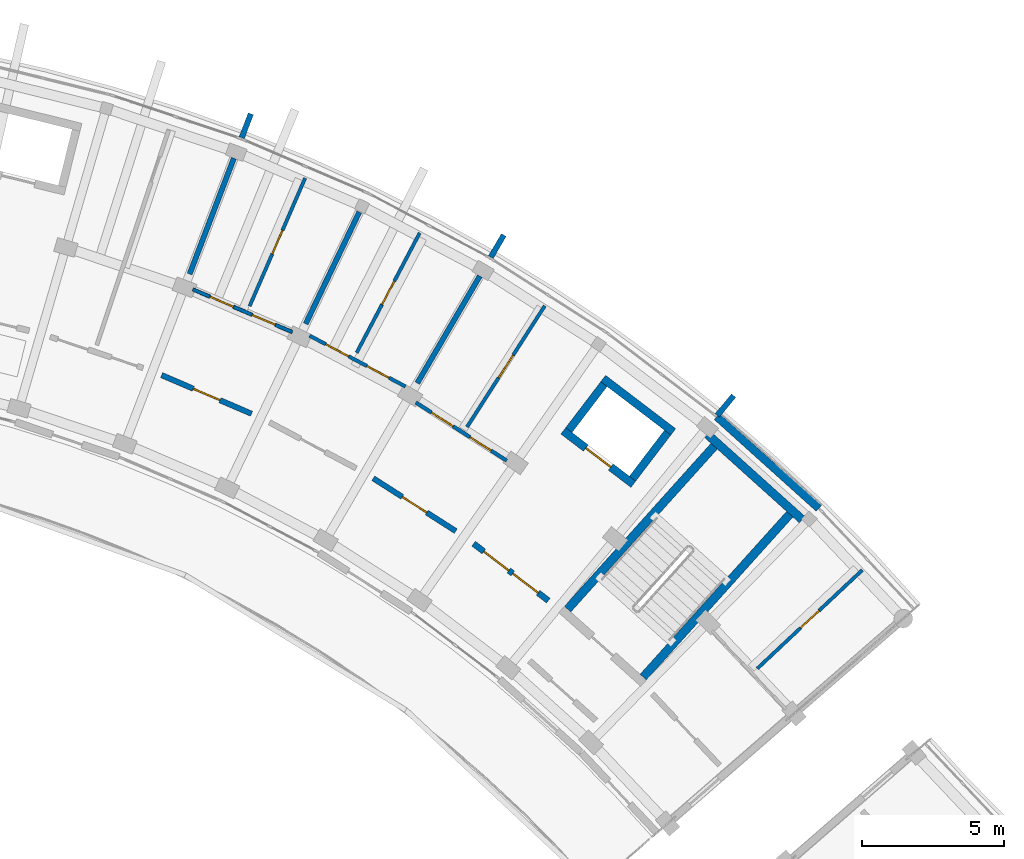
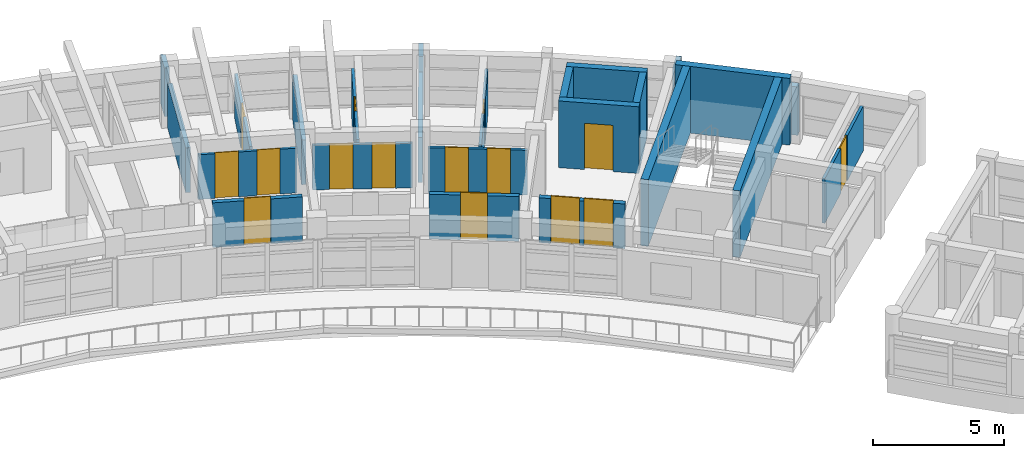
# One storey, part 27 of 38: 24 walls, 15 doors, 15 openings.
"""IFC4 building model written with IfcOpenShell, lengths in metres."""

from ifc_helpers import new_model, si_unit, direction, frame, frame_2d, origin, place, context, subcontext, project, spatial, rectangle, extrude, material, layer, layer_set, type_object, element, fill, save


model = new_model("IFC4")

# Units and contexts
model_context = context("Model", 3, precision=1e-05, world=origin(), true_north=direction((0.0, 1.0)))
body_context = subcontext(model_context, "Body", "Model", "MODEL_VIEW")
ifc_project = project(units=[si_unit("LENGTHUNIT", "METRE"), si_unit("AREAUNIT", "SQUARE_METRE"), si_unit("VOLUMEUNIT", "CUBIC_METRE"), si_unit("PLANEANGLEUNIT", "RADIAN"), si_unit("MASSUNIT", "GRAM", prefix="KILO")], contexts=[model_context])

# Site, building, storey
site_placement = place(None, origin())
site = spatial("IfcSite", under=ifc_project, at=site_placement, CompositionType="ELEMENT")
building_placement = place(site_placement, origin())
building = spatial("IfcBuilding", under=site, at=building_placement, Name="Zimvara Arc Housing Community", CompositionType="ELEMENT")
storey_placement = place(building_placement, frame((0.0, 0.0, 29.800048828125)))
storey = spatial("IfcBuildingStorey", under=building, at=storey_placement, Name="L09", CompositionType="ELEMENT", Elevation=29.800048828125)

# Walls
ifc_material_1 = material(Name="Board-Marked Fair-Faced Concrete C35/45", Category="concrete")
ifc_layer_1 = layer(ifc_material_1, 0.195068359375)
ifc_layer_set_1 = layer_set([ifc_layer_1], Name="Board-Marked Fair-Faced Concrete C35/45")
wall_type_1 = type_object("IfcWallType", Name="EWL-PARA-195", PredefinedType="PARAPET", material=ifc_layer_set_1)
wall_1_placement = place(storey_placement, frame((66.216796875, 100.0029296875, 0.0), z_axis=(0.0, 0.0, 1.0), x_axis=(0.356942580168, 0.934126326823, 0.0)))
element("IfcWall", 1, at=wall_1_placement, inside=storey, type_object=wall_type_1, Name="finwall:blkB:L09:out:b4", PredefinedType="PARAPET", context=body_context, shape_type="SweptSolid", body=[
    extrude(rectangle(XDim=0.900146484375, YDim=0.195068359375, at=frame_2d((0.4501953125, 0.0))), origin(), (0.0, 0.0, 1.0), 2.25),
])
wall_2_placement = place(storey_placement, frame((74.961181640625, 95.8134765625, 0.0), z_axis=(0.0, 0.0, 1.0), x_axis=(0.504326383773, 0.863513114336, 0.0)))
element("IfcWall", 2, at=wall_2_placement, inside=storey, type_object=wall_type_1, Name="finwall:blkB:L09:out:b6", PredefinedType="PARAPET", context=body_context, shape_type="SweptSolid", body=[
    extrude(rectangle(XDim=0.89990234375, YDim=0.195068359375, at=frame_2d((0.449951171875, 0.0))), origin(), (0.0, 0.0, 1.0), 2.25),
])
wall_3_placement = place(storey_placement, frame((82.90771484375, 90.25732421875, 0.0), z_axis=(0.0, 0.0, 1.0), x_axis=(0.637967316825, 0.770063440674, 0.0)))
element("IfcWall", 3, at=wall_3_placement, inside=storey, type_object=wall_type_1, Name="finwall:blkB:L09:out:b8", PredefinedType="PARAPET", context=body_context, shape_type="SweptSolid", body=[
    extrude(rectangle(XDim=0.900146484375, YDim=0.195068359375, at=frame_2d((0.4501953125, 0.0))), origin(), (0.0, 0.0, 1.0), 2.25),
])
ifc_material_2 = material(Name="Board-Marked Fair-Faced Concrete C35/45", Category="concrete")
ifc_layer_2 = layer(ifc_material_2, 0.278076171875)
ifc_layer_set_2 = layer_set([ifc_layer_2], Name="Board-Marked Fair-Faced Concrete C35/45")
wall_type_2 = type_object("IfcWallType", Name="EWL-VAR-23", PredefinedType="SOLIDWALL", material=ifc_layer_set_2)
wall_4_placement = place(storey_placement, frame((82.89697265625, 90.21337890625, 0.0), z_axis=(0.0, 0.0, 1.0), x_axis=(0.743387539862, -0.668860946369, 0.0)))
element("IfcWall", 4, at=wall_4_placement, inside=storey, type_object=wall_type_2, Name="ewall:blkB:L09:out:b8", PredefinedType="SOLIDWALL", context=body_context, shape_type="SweptSolid", body=[
    extrude(rectangle(XDim=4.80908203125, YDim=0.278076171875, at=frame_2d((2.404541015625, 0.0))), origin(), (0.0, 0.0, 1.0), 2.25),
])

# Wall, openings, doors
ifc_material_3 = material(Name="Concrete C35/45", Category="concrete")
ifc_layer_3 = layer(ifc_material_3, 0.2099609375)
ifc_layer_set_3 = layer_set([ifc_layer_3], Name="Concrete C35/45")
wall_type_3 = type_object("IfcWallType", Name="IWL-CCF-210", PredefinedType="SOLIDWALL", material=ifc_layer_set_3)
wall_5_placement = place(storey_placement, frame((74.356689453125, 85.755859375, 0.0), z_axis=(0.0, 0.0, 1.0), x_axis=(0.795498026433, -0.605956178235, 0.0)))
wall_5 = element("IfcWall", 5, at=wall_5_placement, inside=storey, type_object=wall_type_3, Name="iwall:blkB:L09:ll_div:b7", PredefinedType="SOLIDWALL", context=body_context, shape_type="SweptSolid", body=[
    extrude(rectangle(XDim=3.296142578125, YDim=0.2099609375, at=frame_2d((1.64794921875, 0.0))), origin(), (0.0, 0.0, 1.0), 2.079833984375),
])
opening_1_placement = place(wall_5_placement, frame((0.449951171875, 0.0, 0.0)))
opening_1 = element("IfcOpeningElement", 6, at=opening_1_placement, cuts=wall_5, Name="Opening FD-CCF1", PredefinedType="OPENING", context=body_context, shape_type="SweptSolid", body=[
    extrude(rectangle(XDim=1.10009765625, YDim=2.14990234375, at=frame_2d((0.550048828125, 1.074951171875))), frame((0.0, 0.114990234375, 0.0), z_axis=(0.0, -1.0, 0.0), x_axis=(1.0, 0.0, 0.0)), (0.0, 0.0, 1.0), 0.22998046875),
])
opening_2_placement = place(wall_5_placement, frame((1.72607421875, 0.0, 0.0)))
opening_2 = element("IfcOpeningElement", 7, at=opening_2_placement, cuts=wall_5, Name="Opening D07", PredefinedType="OPENING", context=body_context, shape_type="SweptSolid", body=[
    extrude(rectangle(XDim=1.1201171875, YDim=2.14990234375, at=frame_2d((0.56005859375, 1.074951171875))), frame((0.0, 0.114990234375, 0.0), z_axis=(0.0, -1.0, 0.0), x_axis=(1.0, 0.0, 0.0)), (0.0, 0.0, 1.0), 0.22998046875),
])
ifc_material_4 = material(Name="Mozambican Hardwood", Category="wood")
door_type_1 = type_object("IfcDoorType", Name="IDR-AMN-1120x2150", OperationType="NOTDEFINED", PredefinedType="DOOR", material=ifc_material_4)
door_1_placement = place(opening_2_placement, origin())
door_1 = element("IfcDoor", 8, at=door_1_placement, inside=storey, type_object=door_type_1, Name="idoor:blkB:L09:rs_in:b7", OperationType="SINGLE_SWING_LEFT", OverallHeight=2.14990234375, OverallWidth=1.1201171875, PredefinedType="DOOR", context=body_context, shape_type="SweptSolid", body=[
    extrude(rectangle(XDim=1.1201171875, YDim=2.14990234375, at=frame_2d((0.56005859375, 1.074951171875))), frame((0.0, 0.02490234375, 0.0), z_axis=(0.0, -1.0, 0.0), x_axis=(1.0, 0.0, 0.0)), (0.0, 0.0, 1.0), 0.050048828125),
])
fill(opening_2, door_1)
ifc_material_5 = material(Name="Anodised Aluminium AW-6063", Category="aluminium")
door_type_2 = type_object("IfcDoorType", Name="IDR-CCF-1100x2150", OperationType="NOTDEFINED", PredefinedType="DOOR", material=ifc_material_5)
door_2_placement = place(opening_1_placement, origin())
door_2 = element("IfcDoor", 9, at=door_2_placement, inside=storey, type_object=door_type_2, Name="idoor:blkB:L09:ll_in:b7", OperationType="SINGLE_SWING_RIGHT", OverallHeight=2.14990234375, OverallWidth=1.10009765625, PredefinedType="DOOR", context=body_context, shape_type="SweptSolid", body=[
    extrude(rectangle(XDim=1.10009765625, YDim=2.14990234375, at=frame_2d((0.550048828125, 1.074951171875))), frame((0.0, 0.02490234375, 0.0), z_axis=(0.0, -1.0, 0.0), x_axis=(1.0, 0.0, 0.0)), (0.0, 0.0, 1.0), 0.050048828125),
])
fill(opening_1, door_2)

# Wall, opening, door
ifc_material_6 = material(Name="Concrete C35/45", Category="concrete")
ifc_layer_4 = layer(ifc_material_6, 0.18994140625)
ifc_layer_set_4 = layer_set([ifc_layer_4], Name="Concrete C35/45")
wall_type_4 = type_object("IfcWallType", Name="IWL-CORR-190", PredefinedType="SOLIDWALL", material=ifc_layer_set_4)
wall_6_placement = place(storey_placement, frame((63.40673828125, 91.6728515625, 0.0), z_axis=(0.0, 0.0, 1.0), x_axis=(0.918718172399, -0.394913813008, 0.0)))
wall_6 = element("IfcWall", 10, at=wall_6_placement, inside=storey, type_object=wall_type_4, Name="iwall:blkB:L09:corr_out:b4", PredefinedType="SOLIDWALL", context=body_context, shape_type="SweptSolid", body=[
    extrude(rectangle(XDim=3.43603515625, YDim=0.18994140625, at=frame_2d((1.718017578125, 0.0))), origin(), (0.0, 0.0, 1.0), 2.079833984375),
])
opening_3_placement = place(wall_6_placement, frame((1.2080078125, 0.0, 0.0)))
opening_3 = element("IfcOpeningElement", 11, at=opening_3_placement, cuts=wall_6, Name="Opening FD-FL2", PredefinedType="OPENING", context=body_context, shape_type="SweptSolid", body=[
    extrude(rectangle(XDim=1.02001953125, YDim=2.14990234375, at=frame_2d((0.510009765625, 1.074951171875))), frame((0.0, 0.10498046875, 0.0), z_axis=(0.0, -1.0, 0.0), x_axis=(1.0, 0.0, 0.0)), (0.0, 0.0, 1.0), 0.2099609375),
])
ifc_material_7 = material(Name="Mozambican Hardwood", Category="wood")
door_type_3 = type_object("IfcDoorType", Name="IDR-FLAT-1020x2150", OperationType="NOTDEFINED", PredefinedType="DOOR", material=ifc_material_7)
door_3_placement = place(opening_3_placement, origin())
door_3 = element("IfcDoor", 12, at=door_3_placement, inside=storey, type_object=door_type_3, Name="idoor:blkB:L09:flat:b4", OperationType="SINGLE_SWING_RIGHT", OverallHeight=2.14990234375, OverallWidth=1.02001953125, PredefinedType="DOOR", context=body_context, shape_type="SweptSolid", body=[
    extrude(rectangle(XDim=1.02001953125, YDim=2.14990234375, at=frame_2d((0.510009765625, 1.074951171875))), frame((0.0, 0.02490234375, 0.0), z_axis=(0.0, -1.0, 0.0), x_axis=(1.0, 0.0, 0.0)), (0.0, 0.0, 1.0), 0.050048828125),
])
fill(opening_3, door_3)

wall_7_placement = place(storey_placement, frame((70.833740234375, 88.05126953125, 0.0), z_axis=(0.0, 0.0, 1.0), x_axis=(0.842257205985, -0.539075874963, 0.0)))
wall_7 = element("IfcWall", 13, at=wall_7_placement, inside=storey, type_object=wall_type_4, Name="iwall:blkB:L09:corr_out:b6", PredefinedType="SOLIDWALL", context=body_context, shape_type="SweptSolid", body=[
    extrude(rectangle(XDim=3.43603515625, YDim=0.18994140625, at=frame_2d((1.718017578125, 0.0))), origin(), (0.0, 0.0, 1.0), 2.079833984375),
])
opening_4_placement = place(wall_7_placement, frame((1.2080078125, 0.0, 0.0)))
opening_4 = element("IfcOpeningElement", 14, at=opening_4_placement, cuts=wall_7, Name="Opening FD-FL2", PredefinedType="OPENING", context=body_context, shape_type="SweptSolid", body=[
    extrude(rectangle(XDim=1.02001953125, YDim=2.14990234375, at=frame_2d((0.510009765625, 1.074951171875))), frame((0.0, 0.10498046875, 0.0), z_axis=(0.0, -1.0, 0.0), x_axis=(1.0, 0.0, 0.0)), (0.0, 0.0, 1.0), 0.2099609375),
])
door_4_placement = place(opening_4_placement, origin())
door_4 = element("IfcDoor", 15, at=door_4_placement, inside=storey, type_object=door_type_3, Name="idoor:blkB:L09:flat:b6", OperationType="SINGLE_SWING_RIGHT", OverallHeight=2.14990234375, OverallWidth=1.02001953125, PredefinedType="DOOR", context=body_context, shape_type="SweptSolid", body=[
    extrude(rectangle(XDim=1.02001953125, YDim=2.14990234375, at=frame_2d((0.510009765625, 1.074951171875))), frame((0.0, 0.02490234375, 0.0), z_axis=(0.0, -1.0, 0.0), x_axis=(1.0, 0.0, 0.0)), (0.0, 0.0, 1.0), 0.050048828125),
])
fill(opening_4, door_4)

# Walls
ifc_material_8 = material(Name="Concrete C35/45", Category="concrete")
ifc_layer_5 = layer(ifc_material_8, 0.18505859375)
ifc_layer_set_5 = layer_set([ifc_layer_5], Name="Concrete C35/45")
wall_type_5 = type_object("IfcWallType", Name="IWL-FLAT-185", PredefinedType="SOLIDWALL", material=ifc_layer_set_5)
for number, where, z_axis, x_axis, name in (
    (16, (64.388671875, 95.220458984375, 0.0), (0.0, 0.0, 1.0), (0.357064016205, 0.934079915388, 0.0), "iwall:blkB:L09:party:b4"),
    (17, (68.462158203125, 93.469482421875, 0.0), (0.0, 0.0, 1.0), (0.432086898897, 0.901831975371, 0.0), "iwall:blkB:L09:party:b5"),
    (18, (72.37939453125, 91.391845703125, 0.0), (0.0, 0.0, 1.0), (0.504216452091, 0.863577309475, 0.0), "iwall:blkB:L09:party:b6"),
):
    element("IfcWall", number, at=place(storey_placement, frame(where, z_axis=z_axis, x_axis=x_axis)), inside=storey, type_object=wall_type_5, Name=name, PredefinedType="SOLIDWALL", context=body_context, shape_type="SweptSolid", body=[
        extrude(rectangle(XDim=4.35009765625, YDim=0.18505859375, at=frame_2d((2.175048828125, 0.0))), origin(), (0.0, 0.0, 1.0), 2.079833984375),
    ])

# Wall, openings, doors
ifc_material_9 = material(Name="Painted Acoustic Plasterboard")
ifc_layer_6 = layer(ifc_material_9, 0.1201171875)
ifc_layer_set_6 = layer_set([ifc_layer_6], Name="Painted Acoustic Plasterboard")
wall_type_6 = type_object("IfcWallType", Name="IWL-PART-120", PredefinedType="PARTITIONING", material=ifc_layer_set_6)
wall_8_placement = place(storey_placement, frame((64.50341796875, 94.681640625, 0.0), z_axis=(0.0, 0.0, 1.0), x_axis=(0.918732171064, -0.394881245253, 0.0)))
wall_8 = element("IfcWall", 19, at=wall_8_placement, inside=storey, type_object=wall_type_6, Name="iwall:blkB:L09:srv:b4", PredefinedType="PARTITIONING", context=body_context, shape_type="SweptSolid", body=[
    extrude(rectangle(XDim=3.79736328125, YDim=0.1201171875, at=frame_2d((1.898681640625, 0.0))), origin(), (0.0, 0.0, 1.0), 2.079833984375),
])
opening_5_placement = place(wall_8_placement, frame((0.64990234375, 0.0, 0.0)))
opening_5 = element("IfcOpeningElement", 20, at=opening_5_placement, cuts=wall_8, Name="Opening D01", PredefinedType="OPENING", context=body_context, shape_type="SweptSolid", body=[
    extrude(rectangle(XDim=0.89990234375, YDim=2.10009765625, at=frame_2d((0.449951171875, 1.050048828125))), frame((0.0, 0.070068359375, 0.0), z_axis=(0.0, -1.0, 0.0), x_axis=(1.0, 0.0, 0.0)), (0.0, 0.0, 1.0), 0.14013671875),
])
opening_6_placement = place(wall_8_placement, frame((2.267333984375, 0.0, 0.0)))
opening_6 = element("IfcOpeningElement", 21, at=opening_6_placement, cuts=wall_8, Name="Opening D05", PredefinedType="OPENING", context=body_context, shape_type="SweptSolid", body=[
    extrude(rectangle(XDim=0.8798828125, YDim=2.10009765625, at=frame_2d((0.43994140625, 1.050048828125))), frame((0.0, 0.070068359375, 0.0), z_axis=(0.0, -1.0, 0.0), x_axis=(1.0, 0.0, 0.0)), (0.0, 0.0, 1.0), 0.14013671875),
])
ifc_material_10 = material(Name="Mozambican Hardwood", Category="wood")
door_type_4 = type_object("IfcDoorType", Name="IDR-RM-0900x2100", OperationType="NOTDEFINED", PredefinedType="DOOR", material=ifc_material_10)
door_5_placement = place(opening_5_placement, origin())
door_5 = element("IfcDoor", 22, at=door_5_placement, inside=storey, type_object=door_type_4, Name="idoor:blkB:L09:kit_liv:b4", OperationType="SINGLE_SWING_LEFT", OverallHeight=2.10009765625, OverallWidth=0.89990234375, PredefinedType="DOOR", context=body_context, shape_type="SweptSolid", body=[
    extrude(rectangle(XDim=0.89990234375, YDim=2.10009765625, at=frame_2d((0.449951171875, 1.050048828125))), frame((0.0, 0.02490234375, 0.0), z_axis=(0.0, -1.0, 0.0), x_axis=(1.0, 0.0, 0.0)), (0.0, 0.0, 1.0), 0.050048828125),
])
fill(opening_5, door_5)
ifc_material_11 = material(Name="Mozambican Hardwood", Category="wood")
door_type_5 = type_object("IfcDoorType", Name="IDR-WC-0880x2100", OperationType="NOTDEFINED", PredefinedType="DOOR", material=ifc_material_11)
door_6_placement = place(opening_6_placement, origin())
door_6 = element("IfcDoor", 23, at=door_6_placement, inside=storey, type_object=door_type_5, Name="idoor:blkB:L09:bath_d:b4", OperationType="SINGLE_SWING_RIGHT", OverallHeight=2.10009765625, OverallWidth=0.8798828125, PredefinedType="DOOR", context=body_context, shape_type="SweptSolid", body=[
    extrude(rectangle(XDim=0.8798828125, YDim=2.10009765625, at=frame_2d((0.43994140625, 1.050048828125))), frame((0.0, 0.02490234375, 0.0), z_axis=(0.0, -1.0, 0.0), x_axis=(1.0, 0.0, 0.0)), (0.0, 0.0, 1.0), 0.050048828125),
])
fill(opening_6, door_6)

# Wall, opening, door
wall_9_placement = place(storey_placement, frame((66.494140625, 94.09228515625, 0.0), z_axis=(0.0, 0.0, 1.0), x_axis=(0.397698322092, 0.917516236698, 0.0)))
wall_9 = element("IfcWall", 24, at=wall_9_placement, inside=storey, type_object=wall_type_6, Name="iwall:blkB:L09:bed_div:b4", PredefinedType="PARTITIONING", context=body_context, shape_type="SweptSolid", body=[
    extrude(rectangle(XDim=4.89990234375, YDim=0.1201171875, at=frame_2d((2.449951171875, 0.0))), origin(), (0.0, 0.0, 1.0), 2.079833984375),
])
opening_7_placement = place(wall_9_placement, frame((2.0, 0.0, 0.0)))
opening_7 = element("IfcOpeningElement", 25, at=opening_7_placement, cuts=wall_9, Name="Opening D01", PredefinedType="OPENING", context=body_context, shape_type="SweptSolid", body=[
    extrude(rectangle(XDim=0.89990234375, YDim=2.10009765625, at=frame_2d((0.449951171875, 1.050048828125))), frame((0.0, 0.070068359375, 0.0), z_axis=(0.0, -1.0, 0.0), x_axis=(1.0, 0.0, 0.0)), (0.0, 0.0, 1.0), 0.14013671875),
])
door_7_placement = place(opening_7_placement, origin())
door_7 = element("IfcDoor", 26, at=door_7_placement, inside=storey, type_object=door_type_4, Name="idoor:blkB:L09:bed_d:b4", OperationType="SINGLE_SWING_LEFT", OverallHeight=2.10009765625, OverallWidth=0.89990234375, PredefinedType="DOOR", context=body_context, shape_type="SweptSolid", body=[
    extrude(rectangle(XDim=0.89990234375, YDim=2.10009765625, at=frame_2d((0.449951171875, 1.050048828125))), frame((0.0, 0.02490234375, 0.0), z_axis=(0.0, -1.0, 0.0), x_axis=(1.0, 0.0, 0.0)), (0.0, 0.0, 1.0), 0.050048828125),
])
fill(opening_7, door_7)

wall_10_placement = place(storey_placement, frame((70.250732421875, 92.458740234375, 0.0), z_axis=(0.0, 0.0, 1.0), x_axis=(0.465865054936, 0.884855779542, 0.0)))
wall_10 = element("IfcWall", 27, at=wall_10_placement, inside=storey, type_object=wall_type_6, Name="iwall:blkB:L09:bed_div:b5", PredefinedType="PARTITIONING", context=body_context, shape_type="SweptSolid", body=[
    extrude(rectangle(XDim=4.75, YDim=0.1201171875, at=frame_2d((2.375, 0.0))), origin(), (0.0, 0.0, 1.0), 2.079833984375),
])
opening_8_placement = place(wall_10_placement, frame((1.9150390625, 0.0, 0.0)))
opening_8 = element("IfcOpeningElement", 28, at=opening_8_placement, cuts=wall_10, Name="Opening D02", PredefinedType="OPENING", context=body_context, shape_type="SweptSolid", body=[
    extrude(rectangle(XDim=0.919921875, YDim=2.10009765625, at=frame_2d((0.4599609375, 1.050048828125))), frame((0.0, 0.070068359375, 0.0), z_axis=(0.0, -1.0, 0.0), x_axis=(1.0, 0.0, 0.0)), (0.0, 0.0, 1.0), 0.14013671875),
])
ifc_material_12 = material(Name="Mozambican Hardwood", Category="wood")
door_type_6 = type_object("IfcDoorType", Name="IDR-RM-0920x2100", OperationType="NOTDEFINED", PredefinedType="DOOR", material=ifc_material_12)
door_8_placement = place(opening_8_placement, origin())
door_8 = element("IfcDoor", 29, at=door_8_placement, inside=storey, type_object=door_type_6, Name="idoor:blkB:L09:bed_d:b5", OperationType="SINGLE_SWING_LEFT", OverallHeight=2.10009765625, OverallWidth=0.919921875, PredefinedType="DOOR", context=body_context, shape_type="SweptSolid", body=[
    extrude(rectangle(XDim=0.919921875, YDim=2.10009765625, at=frame_2d((0.4599609375, 1.050048828125))), frame((0.0, 0.02490234375, 0.0), z_axis=(0.0, -1.0, 0.0), x_axis=(1.0, 0.0, 0.0)), (0.0, 0.0, 1.0), 0.050048828125),
])
fill(opening_8, door_8)

wall_11_placement = place(storey_placement, frame((74.1240234375, 89.854248046875, 0.0), z_axis=(0.0, 0.0, 1.0), x_axis=(0.5403494769, 0.84144069477, 0.0)))
wall_11 = element("IfcWall", 30, at=wall_11_placement, inside=storey, type_object=wall_type_6, Name="iwall:blkB:L09:bed_div:b6", PredefinedType="PARTITIONING", context=body_context, shape_type="SweptSolid", body=[
    extrude(rectangle(XDim=5.050048828125, YDim=0.1201171875, at=frame_2d((2.52490234375, 0.0))), origin(), (0.0, 0.0, 1.0), 2.079833984375),
])
opening_9_placement = place(wall_11_placement, frame((2.054931640625, 0.0, 0.0)))
opening_9 = element("IfcOpeningElement", 31, at=opening_9_placement, cuts=wall_11, Name="Opening D03", PredefinedType="OPENING", context=body_context, shape_type="SweptSolid", body=[
    extrude(rectangle(XDim=0.93994140625, YDim=2.10009765625, at=frame_2d((0.469970703125, 1.050048828125))), frame((0.0, 0.070068359375, 0.0), z_axis=(0.0, -1.0, 0.0), x_axis=(1.0, 0.0, 0.0)), (0.0, 0.0, 1.0), 0.14013671875),
])
ifc_material_13 = material(Name="Mozambican Hardwood", Category="wood")
door_type_7 = type_object("IfcDoorType", Name="IDR-RM-0940x2100", OperationType="NOTDEFINED", PredefinedType="DOOR", material=ifc_material_13)
door_9_placement = place(opening_9_placement, origin())
door_9 = element("IfcDoor", 32, at=door_9_placement, inside=storey, type_object=door_type_7, Name="idoor:blkB:L09:bed_d:b6", OperationType="SINGLE_SWING_LEFT", OverallHeight=2.10009765625, OverallWidth=0.93994140625, PredefinedType="DOOR", context=body_context, shape_type="SweptSolid", body=[
    extrude(rectangle(XDim=0.93994140625, YDim=2.10009765625, at=frame_2d((0.469970703125, 1.050048828125))), frame((0.0, 0.02490234375, 0.0), z_axis=(0.0, -1.0, 0.0), x_axis=(1.0, 0.0, 0.0)), (0.0, 0.0, 1.0), 0.050048828125),
])
fill(opening_9, door_9)

wall_12_placement = place(storey_placement, frame((84.3125, 81.37451171875, 0.0), z_axis=(0.0, 0.0, 1.0), x_axis=(0.72936983679, 0.684119610288, 0.0)))
wall_12 = element("IfcWall", 33, at=wall_12_placement, inside=storey, type_object=wall_type_6, Name="iwall:blkB:L09:bed_div:b9", PredefinedType="PARTITIONING", context=body_context, shape_type="SweptSolid", body=[
    extrude(rectangle(XDim=5.050048828125, YDim=0.1201171875, at=frame_2d((2.52490234375, 0.0))), origin(), (0.0, 0.0, 1.0), 2.079833984375),
])
opening_10_placement = place(wall_12_placement, frame((2.080078125, 0.0, 0.0)))
opening_10 = element("IfcOpeningElement", 34, at=opening_10_placement, cuts=wall_12, Name="Opening D12", PredefinedType="OPENING", context=body_context, shape_type="SweptSolid", body=[
    extrude(rectangle(XDim=0.889892578125, YDim=2.10009765625, at=frame_2d((0.44482421875, 1.050048828125))), frame((0.0, 0.070068359375, 0.0), z_axis=(0.0, -1.0, 0.0), x_axis=(1.0, 0.0, 0.0)), (0.0, 0.0, 1.0), 0.14013671875),
])
ifc_material_14 = material(Name="Mozambican Hardwood", Category="wood")
door_type_8 = type_object("IfcDoorType", Name="IDR-MOD-890x2140", OperationType="NOTDEFINED", PredefinedType="DOOR", material=ifc_material_14)
door_10_placement = place(opening_10_placement, origin())
door_10 = element("IfcDoor", 35, at=door_10_placement, inside=storey, type_object=door_type_8, Name="idoor:blkB:L09:bed_d:b9", OperationType="SINGLE_SWING_RIGHT", OverallHeight=2.10009765625, OverallWidth=0.889892578125, PredefinedType="DOOR", context=body_context, shape_type="SweptSolid", body=[
    extrude(rectangle(XDim=0.889892578125, YDim=2.10009765625, at=frame_2d((0.44482421875, 1.050048828125))), frame((0.0, 0.02490234375, 0.0), z_axis=(0.0, -1.0, 0.0), x_axis=(1.0, 0.0, 0.0)), (0.0, 0.0, 1.0), 0.050048828125),
])
fill(opening_10, door_10)

# Wall, openings, doors
ifc_material_15 = material(Name="Painted Acoustic Plasterboard")
ifc_layer_7 = layer(ifc_material_15, 0.125)
ifc_layer_set_7 = layer_set([ifc_layer_7], Name="Painted Acoustic Plasterboard")
wall_type_7 = type_object("IfcWallType", Name="IWL-PART-125", PredefinedType="PARTITIONING", material=ifc_layer_set_7)
wall_13_placement = place(storey_placement, frame((68.59765625, 93.058349609375, 0.0), z_axis=(0.0, 0.0, 1.0), x_axis=(0.883441603894, -0.468541281543, 0.0)))
wall_13 = element("IfcWall", 36, at=wall_13_placement, inside=storey, type_object=wall_type_7, Name="iwall:blkB:L09:srv:b5", PredefinedType="PARTITIONING", context=body_context, shape_type="SweptSolid", body=[
    extrude(rectangle(XDim=3.8095703125, YDim=0.125, at=frame_2d((1.90478515625, 0.0))), origin(), (0.0, 0.0, 1.0), 2.079833984375),
])
opening_11_placement = place(wall_13_placement, frame((0.64990234375, 0.0, 0.0)))
opening_11 = element("IfcOpeningElement", 37, at=opening_11_placement, cuts=wall_13, Name="Opening D01", PredefinedType="OPENING", context=body_context, shape_type="SweptSolid", body=[
    extrude(rectangle(XDim=0.89990234375, YDim=2.10009765625, at=frame_2d((0.449951171875, 1.050048828125))), frame((0.0, 0.072509765625, 0.0), z_axis=(0.0, -1.0, 0.0), x_axis=(1.0, 0.0, 0.0)), (0.0, 0.0, 1.0), 0.14501953125),
])
opening_12_placement = place(wall_13_placement, frame((2.279541015625, 0.0, 0.0)))
opening_12 = element("IfcOpeningElement", 38, at=opening_12_placement, cuts=wall_13, Name="Opening D05", PredefinedType="OPENING", context=body_context, shape_type="SweptSolid", body=[
    extrude(rectangle(XDim=0.8798828125, YDim=2.10009765625, at=frame_2d((0.43994140625, 1.050048828125))), frame((0.0, 0.072509765625, 0.0), z_axis=(0.0, -1.0, 0.0), x_axis=(1.0, 0.0, 0.0)), (0.0, 0.0, 1.0), 0.14501953125),
])
door_11_placement = place(opening_11_placement, origin())
door_11 = element("IfcDoor", 39, at=door_11_placement, inside=storey, type_object=door_type_4, Name="idoor:blkB:L09:kit_liv:b5", OperationType="SINGLE_SWING_LEFT", OverallHeight=2.10009765625, OverallWidth=0.89990234375, PredefinedType="DOOR", context=body_context, shape_type="SweptSolid", body=[
    extrude(rectangle(XDim=0.89990234375, YDim=2.10009765625, at=frame_2d((0.449951171875, 1.050048828125))), frame((0.0, 0.02490234375, 0.0), z_axis=(0.0, -1.0, 0.0), x_axis=(1.0, 0.0, 0.0)), (0.0, 0.0, 1.0), 0.050048828125),
])
fill(opening_11, door_11)
door_12_placement = place(opening_12_placement, origin())
door_12 = element("IfcDoor", 40, at=door_12_placement, inside=storey, type_object=door_type_5, Name="idoor:blkB:L09:bath_d:b5", OperationType="SINGLE_SWING_RIGHT", OverallHeight=2.10009765625, OverallWidth=0.8798828125, PredefinedType="DOOR", context=body_context, shape_type="SweptSolid", body=[
    extrude(rectangle(XDim=0.8798828125, YDim=2.10009765625, at=frame_2d((0.43994140625, 1.050048828125))), frame((0.0, 0.02490234375, 0.0), z_axis=(0.0, -1.0, 0.0), x_axis=(1.0, 0.0, 0.0)), (0.0, 0.0, 1.0), 0.050048828125),
])
fill(opening_12, door_12)

ifc_material_16 = material(Name="Painted Acoustic Plasterboard")
ifc_layer_8 = layer(ifc_material_16, 0.1298828125)
ifc_layer_set_8 = layer_set([ifc_layer_8], Name="Painted Acoustic Plasterboard")
wall_type_8 = type_object("IfcWallType", Name="IWL-PART-130", PredefinedType="PARTITIONING", material=ifc_layer_set_8)
wall_14_placement = place(storey_placement, frame((72.32958984375, 90.712158203125, 0.0), z_axis=(0.0, 0.0, 1.0), x_axis=(0.842245628842, -0.539093962771, 0.0)))
wall_14 = element("IfcWall", 41, at=wall_14_placement, inside=storey, type_object=wall_type_8, Name="iwall:blkB:L09:srv:b6", PredefinedType="PARTITIONING", context=body_context, shape_type="SweptSolid", body=[
    extrude(rectangle(XDim=3.78515625, YDim=0.1298828125, at=frame_2d((1.892578125, 0.0))), origin(), (0.0, 0.0, 1.0), 2.079833984375),
])
opening_13_placement = place(wall_14_placement, frame((0.64990234375, 0.0, 0.0)))
opening_13 = element("IfcOpeningElement", 42, at=opening_13_placement, cuts=wall_14, Name="Opening D01", PredefinedType="OPENING", context=body_context, shape_type="SweptSolid", body=[
    extrude(rectangle(XDim=0.89990234375, YDim=2.10009765625, at=frame_2d((0.449951171875, 1.050048828125))), frame((0.0, 0.074951171875, 0.0), z_axis=(0.0, -1.0, 0.0), x_axis=(1.0, 0.0, 0.0)), (0.0, 0.0, 1.0), 0.14990234375),
])
opening_14_placement = place(wall_14_placement, frame((2.255126953125, 0.0, 0.0)))
opening_14 = element("IfcOpeningElement", 43, at=opening_14_placement, cuts=wall_14, Name="Opening D05", PredefinedType="OPENING", context=body_context, shape_type="SweptSolid", body=[
    extrude(rectangle(XDim=0.8798828125, YDim=2.10009765625, at=frame_2d((0.43994140625, 1.050048828125))), frame((0.0, 0.074951171875, 0.0), z_axis=(0.0, -1.0, 0.0), x_axis=(1.0, 0.0, 0.0)), (0.0, 0.0, 1.0), 0.14990234375),
])
door_13_placement = place(opening_13_placement, origin())
door_13 = element("IfcDoor", 44, at=door_13_placement, inside=storey, type_object=door_type_4, Name="idoor:blkB:L09:kit_liv:b6", OperationType="SINGLE_SWING_LEFT", OverallHeight=2.10009765625, OverallWidth=0.89990234375, PredefinedType="DOOR", context=body_context, shape_type="SweptSolid", body=[
    extrude(rectangle(XDim=0.89990234375, YDim=2.10009765625, at=frame_2d((0.449951171875, 1.050048828125))), frame((0.0, 0.02490234375, 0.0), z_axis=(0.0, -1.0, 0.0), x_axis=(1.0, 0.0, 0.0)), (0.0, 0.0, 1.0), 0.050048828125),
])
fill(opening_13, door_13)
door_14_placement = place(opening_14_placement, origin())
door_14 = element("IfcDoor", 45, at=door_14_placement, inside=storey, type_object=door_type_5, Name="idoor:blkB:L09:bath_d:b6", OperationType="SINGLE_SWING_RIGHT", OverallHeight=2.10009765625, OverallWidth=0.8798828125, PredefinedType="DOOR", context=body_context, shape_type="SweptSolid", body=[
    extrude(rectangle(XDim=0.8798828125, YDim=2.10009765625, at=frame_2d((0.43994140625, 1.050048828125))), frame((0.0, 0.02490234375, 0.0), z_axis=(0.0, -1.0, 0.0), x_axis=(1.0, 0.0, 0.0)), (0.0, 0.0, 1.0), 0.050048828125),
])
fill(opening_14, door_14)

# Wall, opening, door
ifc_material_17 = material(Name="Concrete C40/50", Category="concrete")
ifc_layer_9 = layer(ifc_material_17, 0.280029296875)
ifc_layer_set_9 = layer_set([ifc_layer_9], Name="Concrete C40/50")
wall_type_9 = type_object("IfcWallType", Name="WL-CORE-280", PredefinedType="SHEAR", material=ifc_layer_set_9)
wall_15_placement = place(storey_placement, frame((79.96142578125, 87.84375, 0.0), z_axis=(0.0, 0.0, 1.0), x_axis=(-0.795464365424, 0.606000365793, 0.0)))
wall_15 = element("IfcWall", 46, at=wall_15_placement, inside=storey, type_object=wall_type_9, Name="lwall:LP-B2:L09:front", PredefinedType="SHEAR", context=body_context, shape_type="SweptSolid", body=[
    extrude(rectangle(XDim=3.090087890625, YDim=0.280029296875, at=frame_2d((1.544921875, 0.0))), origin(), (0.0, 0.0, 1.0), 3.099853515625),
])
opening_15_placement = place(wall_15_placement, frame((0.9951171875, 0.0, 0.0)))
opening_15 = element("IfcOpeningElement", 47, at=opening_15_placement, cuts=wall_15, Name="Opening LD-LP-B2", PredefinedType="OPENING", context=body_context, shape_type="SweptSolid", body=[
    extrude(rectangle(XDim=1.10009765625, YDim=2.14990234375, at=frame_2d((0.550048828125, 1.074951171875))), frame((0.0, 0.14990234375, 0.0), z_axis=(0.0, -1.0, 0.0), x_axis=(1.0, 0.0, 0.0)), (0.0, 0.0, 1.0), 0.300048828125),
])
ifc_material_18 = material(Name="Anodised Aluminium AW-6063", Category="aluminium")
door_type_9 = type_object("IfcDoorType", Name="IDR-LD-1100x2150", OperationType="DOUBLE_DOOR_SLIDING", PredefinedType="DOOR", material=ifc_material_18)
door_15_placement = place(opening_15_placement, origin())
door_15 = element("IfcDoor", 48, at=door_15_placement, inside=storey, type_object=door_type_9, Name="Lift LP-B2 Sliding Landing Door L09", OperationType="DOUBLE_DOOR_SLIDING", OverallHeight=2.14990234375, OverallWidth=1.10009765625, PredefinedType="DOOR", context=body_context, shape_type="SweptSolid", body=[
    extrude(rectangle(XDim=1.10009765625, YDim=2.14990234375, at=frame_2d((0.550048828125, 1.074951171875))), frame((0.0, 0.02490234375, 0.0), z_axis=(0.0, -1.0, 0.0), x_axis=(1.0, 0.0, 0.0)), (0.0, 0.0, 1.0), 0.050048828125),
])
fill(opening_15, door_15)

# Walls
wall_16_placement = place(storey_placement, frame((81.361083984375, 89.681396484375, 0.0), z_axis=(0.0, 0.0, 1.0), x_axis=(-0.795502452183, 0.605950368076, 0.0)))
element("IfcWall", 49, at=wall_16_placement, inside=storey, type_object=wall_type_9, Name="lwall:LP-B2:L09:back", PredefinedType="SHEAR", context=body_context, shape_type="SweptSolid", body=[
    extrude(rectangle(XDim=3.08984375, YDim=0.280029296875, at=frame_2d((1.544921875, 0.0))), origin(), (0.0, 0.0, 1.0), 3.099853515625),
])
for number, where, z_axis, x_axis, name in (
    (50, (79.934814453125, 88.0400390625, 0.0), (0.0, 0.0, 1.0), (0.606025097418, 0.795445523779, 0.0), "lwall:LP-B2:L09:left"),
    (51, (77.699462890625, 89.742919921875, 0.0), (0.0, 0.0, 1.0), (0.606025097418, 0.795445523779, 0.0), "lwall:LP-B2:L09:right"),
):
    element("IfcWall", number, at=place(storey_placement, frame(where, z_axis=z_axis, x_axis=x_axis)), inside=storey, type_object=wall_type_9, Name=name, PredefinedType="SHEAR", context=body_context, shape_type="SweptSolid", body=[
        extrude(rectangle(XDim=2.030029296875, YDim=0.280029296875, at=frame_2d((1.01513671875, 0.0))), origin(), (0.0, 0.0, 1.0), 3.099853515625),
    ])
ifc_material_19 = material(Name="Concrete C40/50", Category="concrete")
ifc_layer_10 = layer(ifc_material_19, 0.300048828125)
ifc_layer_set_10 = layer_set([ifc_layer_10], Name="Concrete C40/50")
wall_type_10 = type_object("IfcWallType", Name="WL-CORE-300", PredefinedType="SHEAR", material=ifc_layer_set_10)
wall_17_placement = place(storey_placement, frame((85.887451171875, 86.6005859375, 0.0), z_axis=(0.0, 0.0, 1.0), x_axis=(-0.743400052815, 0.668847038922, 0.0)))
element("IfcWall", 52, at=wall_17_placement, inside=storey, type_object=wall_type_10, Name="cwall:ST-B2:L09:far", PredefinedType="SHEAR", context=body_context, shape_type="SweptSolid", body=[
    extrude(rectangle(XDim=4.469970703125, YDim=0.300048828125, at=frame_2d((2.23486328125, 0.0))), origin(), (0.0, 0.0, 1.0), 3.099853515625),
])
wall_18_placement = place(storey_placement, frame((80.308837890625, 81.073486328125, 0.0), z_axis=(0.0, 0.0, 1.0), x_axis=(0.668885797871, 0.743365179038, 0.0)))
element("IfcWall", 53, at=wall_18_placement, inside=storey, type_object=wall_type_10, Name="cwall:ST-B2:L09:left", PredefinedType="SHEAR", context=body_context, shape_type="SweptSolid", body=[
    extrude(rectangle(XDim=7.690185546875, YDim=0.300048828125, at=frame_2d((3.84521484375, 0.0))), origin(), (0.0, 0.0, 1.0), 3.099853515625),
])
wall_19_placement = place(storey_placement, frame((77.655029296875, 83.461181640625, 0.0), z_axis=(0.0, 0.0, 1.0), x_axis=(0.668868253964, 0.743380964808, 0.0)))
element("IfcWall", 54, at=wall_19_placement, inside=storey, type_object=wall_type_10, Name="cwall:ST-B2:L09:right", PredefinedType="SHEAR", context=body_context, shape_type="SweptSolid", body=[
    extrude(rectangle(XDim=7.68994140625, YDim=0.300048828125, at=frame_2d((3.844970703125, 0.0))), origin(), (0.0, 0.0, 1.0), 3.099853515625),
])

save(model, "model.ifc")
